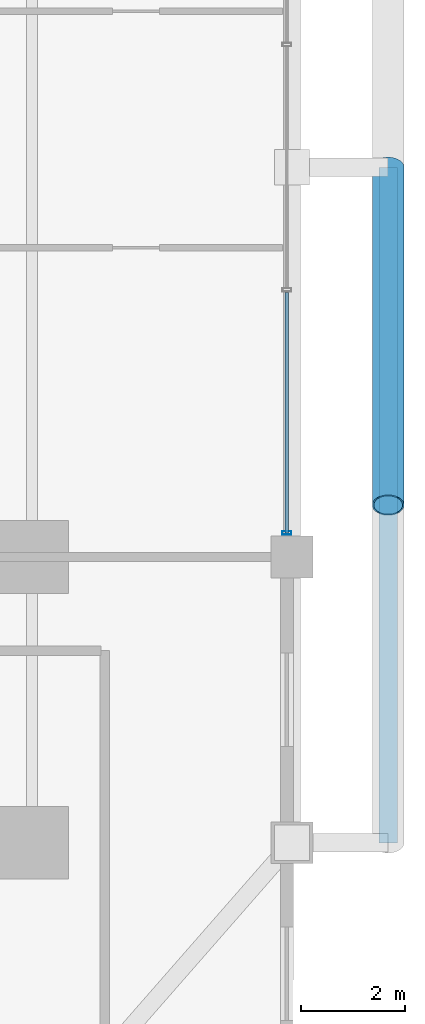
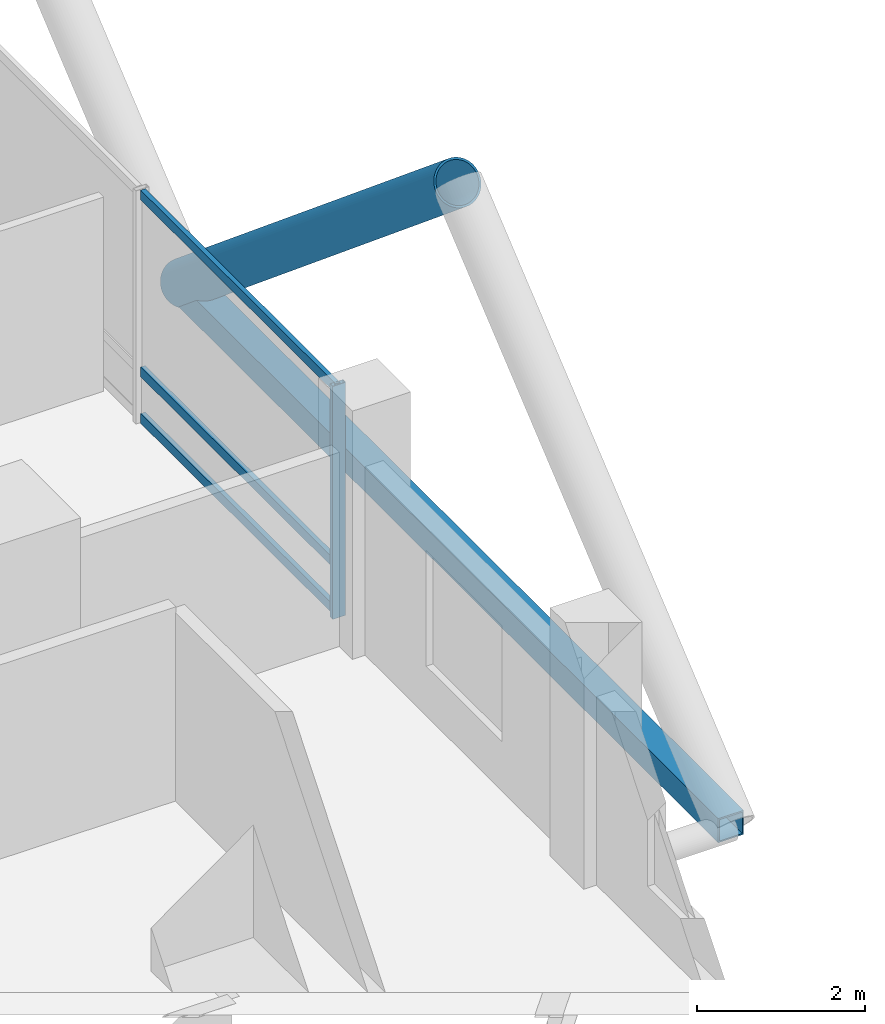
# One storey, part 10 of 27: 6 members, 1 element without a shape of its own.
"""IFC4 building model written with IfcOpenShell, lengths in metres."""

from ifc_helpers import new_model, si_unit, direction, frame, origin, origin_2d, place, context, subcontext, project, spatial, hollow_rectangle, hollow_circle, extrude, material, layer, layer_set, material_profile, profile_set, type_object, element, aggregate, save


model = new_model("IFC4")

# Units and contexts
model_context = context("Model", 3, precision=1e-05, world=origin(), true_north=direction((0.0, 1.0)))
body_context = subcontext(model_context, "Body", "Model", "MODEL_VIEW")
ifc_project = project(units=[si_unit("LENGTHUNIT", "METRE"), si_unit("AREAUNIT", "SQUARE_METRE"), si_unit("VOLUMEUNIT", "CUBIC_METRE"), si_unit("PLANEANGLEUNIT", "RADIAN"), si_unit("MASSUNIT", "GRAM", prefix="KILO")], contexts=[model_context])

# Site, building, storey
site_placement = place(None, origin())
site = spatial("IfcSite", under=ifc_project, at=site_placement, CompositionType="ELEMENT")
building_placement = place(site_placement, origin())
building = spatial("IfcBuilding", under=site, at=building_placement, Name="Barlavira Tower and Art Museum", CompositionType="ELEMENT")
storey_placement = place(building_placement, frame((0.0, 0.0, 50.39990234375)))
storey = spatial("IfcBuildingStorey", under=building, at=storey_placement, Name="L11", CompositionType="ELEMENT", Elevation=50.39990234375)

# Curtain wall, members
ifc_material_1 = material(Name="Low-iron coastal laminated glass", Category="glass")
ifc_layer = layer(ifc_material_1, 0.179931640625, Name="Low-iron coastal laminated glass")
ifc_layer_set = layer_set([ifc_layer], Name="Low-iron coastal laminated glass")
curtain_wall_type = type_object("IfcCurtainWallType", Name="Pale-Metal Unitised Curtain Wall Zone 1", PredefinedType="NOTDEFINED", material=ifc_layer_set)
curtain_wall_placement = place(storey_placement, origin())
curtain_wall = element("IfcCurtainWall", 1, at=curtain_wall_placement, inside=storey, type_object=curtain_wall_type, Name="L11 Curtain Wall CW1-L11-E-B3", PredefinedType="NOTDEFINED")
ifc_material_2 = material(Name="Pale anodised aluminium", Category="aluminium")
ifc_material_profile_1 = material_profile(ifc_material_2, hollow_rectangle(XDim=0.06494140625, YDim=0.179931640625, WallThickness=0.00390625, at=origin_2d()), Name="ALU-MULL 65x180x4")
ifc_profile_set_1 = profile_set([ifc_material_profile_1], Name="Pale anodised aluminium")
member_type_1 = type_object("IfcMemberType", Name="Curtain Wall Pale-Metal Mullion 65x180", PredefinedType="MULLION", material=ifc_profile_set_1)
member_1_placement = place(storey_placement, frame((21.89990234375, -7.034912109375, 0.0), z_axis=(0.0, 0.0, 1.0), x_axis=(0.0, 1.0, 0.0)))
member_1 = element("IfcMember", 2, at=member_1_placement, type_object=member_type_1, Name="CW1-L11-E-B3 Mullion 0", PredefinedType="MULLION", context=body_context, shape_type="SweptSolid", body=[
    extrude(hollow_rectangle(XDim=0.06494140625, YDim=0.179931640625, WallThickness=0.00390625, at=origin_2d()), origin(), (0.0, 0.0, 1.0), 3.380126953125),
])
ifc_material_profile_2 = material_profile(ifc_material_2, hollow_rectangle(XDim=0.06494140625, YDim=0.139892578125, WallThickness=0.00390625, at=origin_2d()), Name="ALU-TRAN 65x140x4")
ifc_profile_set_2 = profile_set([ifc_material_profile_2], Name="Pale anodised aluminium")
member_type_2 = type_object("IfcMemberType", Name="Curtain Wall Pale-Metal Transom 65x140", PredefinedType="USERDEFINED", material=ifc_profile_set_2)
member_2_placement = place(storey_placement, frame((21.89990234375, -7.034912109375, 0.070068359375), z_axis=(0.0, 1.0, 0.0), x_axis=(-1.0, 0.0, 0.0)))
member_2 = element("IfcMember", 3, at=member_2_placement, type_object=member_type_2, Name="CW1-L11-E-B3 Transom 0.1", ObjectType="TRANSOM", PredefinedType="USERDEFINED", context=body_context, shape_type="SweptSolid", body=[
    extrude(hollow_rectangle(XDim=0.06494140625, YDim=0.139892578125, WallThickness=0.00390625, at=origin_2d()), origin(), (0.0, 0.0, 1.0), 4.6298828125),
])
member_3_placement = place(storey_placement, frame((21.89990234375, -7.034912109375, 0.744140625), z_axis=(0.0, 1.0, 0.0), x_axis=(-1.0, 0.0, 0.0)))
member_3 = element("IfcMember", 4, at=member_3_placement, type_object=member_type_2, Name="CW1-L11-E-B3 Transom 0.2", ObjectType="TRANSOM", PredefinedType="USERDEFINED", context=body_context, shape_type="SweptSolid", body=[
    extrude(hollow_rectangle(XDim=0.06494140625, YDim=0.139892578125, WallThickness=0.00390625, at=origin_2d()), origin(), (0.0, 0.0, 1.0), 4.6298828125),
])
member_4_placement = place(storey_placement, frame((21.89990234375, -7.034912109375, 3.31005859375), z_axis=(0.0, 1.0, 0.0), x_axis=(-1.0, 0.0, 0.0)))
member_4 = element("IfcMember", 5, at=member_4_placement, type_object=member_type_2, Name="CW1-L11-E-B3 Transom 0.3", ObjectType="TRANSOM", PredefinedType="USERDEFINED", context=body_context, shape_type="SweptSolid", body=[
    extrude(hollow_rectangle(XDim=0.06494140625, YDim=0.139892578125, WallThickness=0.00390625, at=origin_2d()), origin(), (0.0, 0.0, 1.0), 4.6298828125),
])
aggregate(curtain_wall, [member_1, member_2, member_3, member_4])

# Members
ifc_material_3 = material(Name="Steel S355", Category="steel")
ifc_material_profile_3 = material_profile(ifc_material_3, hollow_circle(Radius=0.304931640625, WallThickness=0.028076171875, at=origin_2d()), Name="CHS 610.0x28.0")
ifc_profile_set_3 = profile_set([ifc_material_profile_3], Name="Steel S355")
member_type_3 = type_object("IfcMemberType", Name="Pale-Metal Exoskeleton Diagrid Tube CHS 610x28 Steel S355", PredefinedType="BRACE", material=ifc_profile_set_3)
member_5_placement = place(storey_placement, frame((23.85009765625, 0.0, -0.119873046875), z_axis=(0.0, -0.769196053329, 0.639012857104), x_axis=(1.0, 0.0, 0.0)))
element("IfcMember", 6, at=member_5_placement, inside=storey, type_object=member_type_3, Name="L11 Exoskeleton Diagrid Tube E", PredefinedType="BRACE", context=body_context, shape_type="SweptSolid", body=[
    extrude(hollow_circle(Radius=0.304931640625, WallThickness=0.028076171875, at=origin_2d()), origin(), (0.0, 0.0, 1.0), 8.450439453125),
])
ifc_material_profile_4 = material_profile(ifc_material_3, hollow_rectangle(XDim=0.35009765625, YDim=0.35009765625, WallThickness=0.02001953125, at=origin_2d()), Name="SHS 350x350x20.0")
ifc_profile_set_4 = profile_set([ifc_material_profile_4], Name="Steel S355")
member_type_4 = type_object("IfcMemberType", Name="Pale-Metal Exoskeleton Ring Strut SHS 350x350x20 Steel S355", PredefinedType="STRUT", material=ifc_profile_set_4)
member_6_placement = place(storey_placement, frame((23.85009765625, -13.0, -0.119873046875), z_axis=(0.0, 1.0, 0.0), x_axis=(-1.0, 0.0, 0.0)))
element("IfcMember", 7, at=member_6_placement, inside=storey, type_object=member_type_4, Name="L11 Exoskeleton Ring Strut E", PredefinedType="STRUT", context=body_context, shape_type="SweptSolid", body=[
    extrude(hollow_rectangle(XDim=0.35009765625, YDim=0.35009765625, WallThickness=0.02001953125, at=origin_2d()), origin(), (0.0, 0.0, 1.0), 13.0),
])

save(model, "model.ifc")
